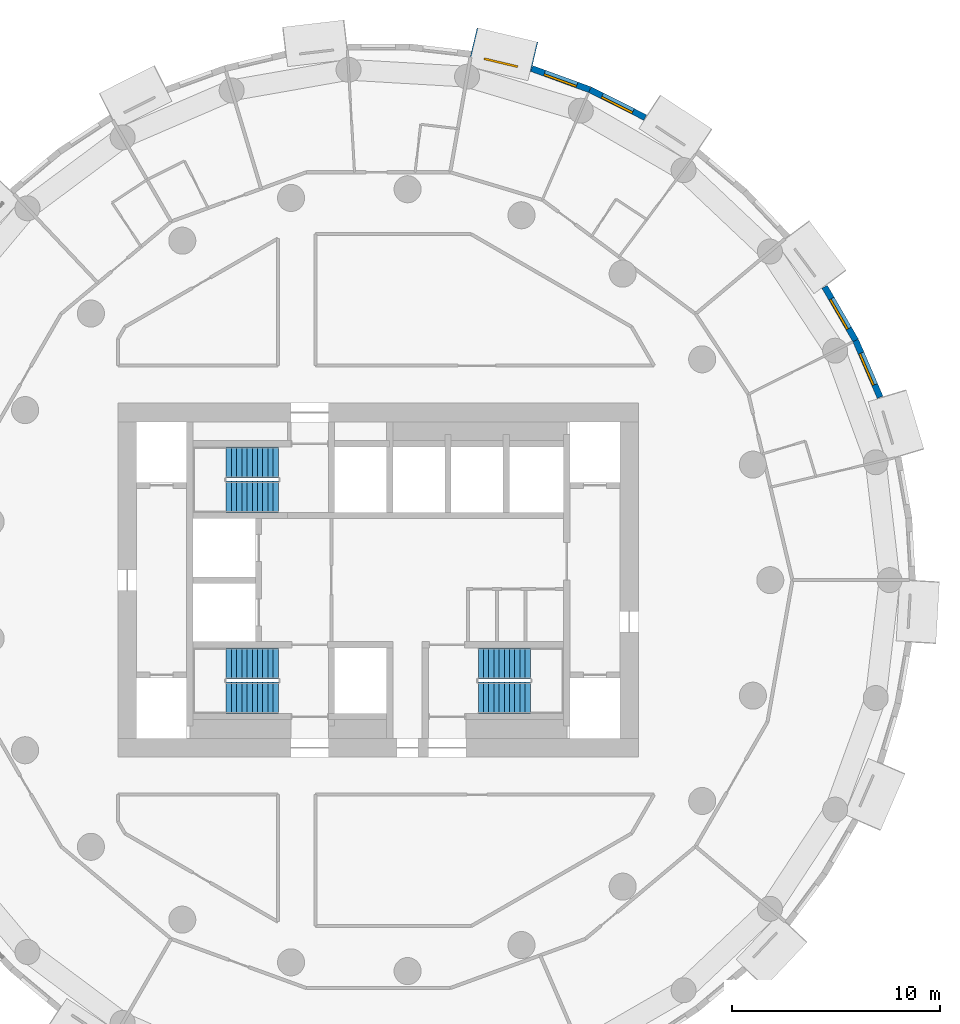
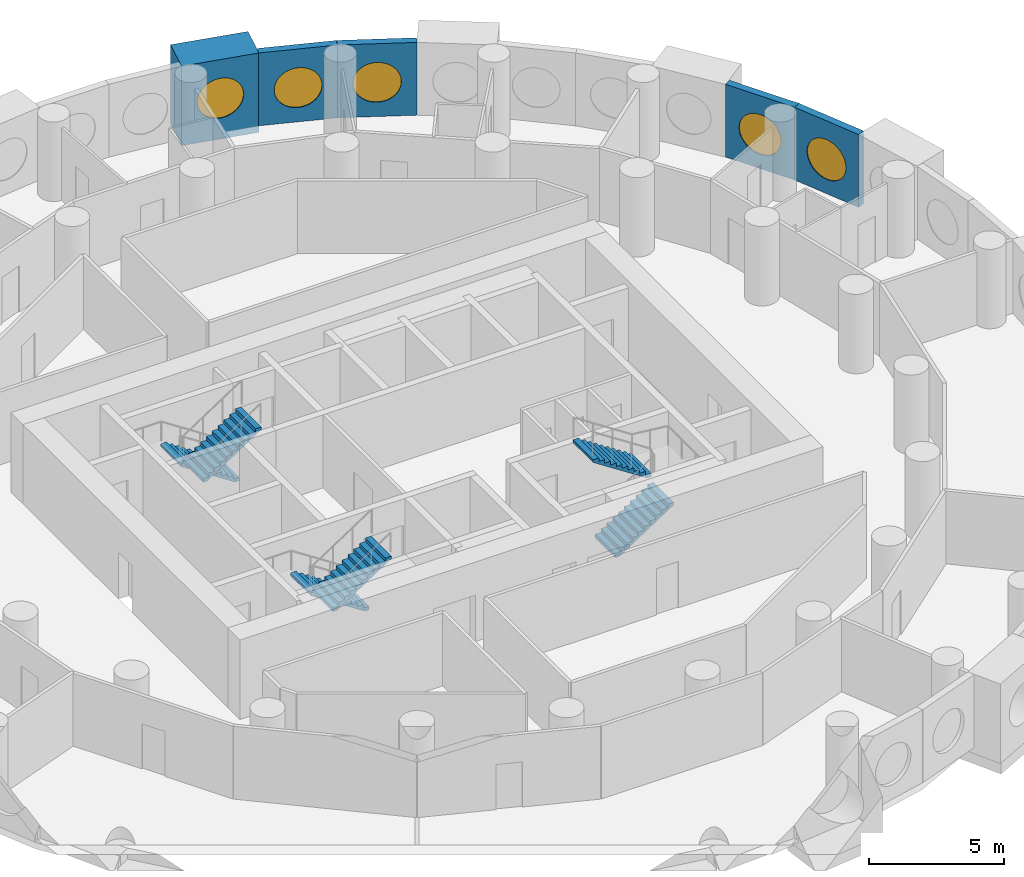
# One storey, part 8 of 9: 6 stair flights, 5 walls, 5 windows, 5 openings, 3 elements without a shape of their own.
"""IFC4 building model written with IfcOpenShell, lengths in metres."""

from ifc_helpers import new_model, si_unit, direction, frame, frame_2d, origin, origin_2d, place, context, subcontext, project, spatial, polyline, rectangle, circle, outline, extrude, material, layer, layer_set, type_object, element, fill, aggregate, save


model = new_model("IFC4")

# Units and contexts
model_context = context("Model", 3, precision=1e-05, world=origin(), true_north=direction((0.0, 1.0)))
body_context = subcontext(model_context, "Body", "Model", "MODEL_VIEW")
ifc_project = project(units=[si_unit("LENGTHUNIT", "METRE"), si_unit("AREAUNIT", "SQUARE_METRE"), si_unit("VOLUMEUNIT", "CUBIC_METRE"), si_unit("PLANEANGLEUNIT", "RADIAN"), si_unit("MASSUNIT", "GRAM", prefix="KILO")], contexts=[model_context])

# Site, building, storey
site_placement = place(None, origin())
site = spatial("IfcSite", under=ifc_project, at=site_placement, CompositionType="ELEMENT")
building_placement = place(site_placement, origin())
building = spatial("IfcBuilding", under=site, at=building_placement, Name="Tracery Tower", CompositionType="ELEMENT")
storey_placement = place(building_placement, frame((0.0, 0.0, 176.39990234375)))
storey = spatial("IfcBuildingStorey", under=building, at=storey_placement, Name="L45", CompositionType="ELEMENT", Elevation=176.39990234375)

# Wall, opening, window
ifc_material_1 = material(Name="Precast concrete C50/60", Category="concrete")
ifc_layer_1 = layer(ifc_material_1, 1.449951171875)
ifc_layer_set_1 = layer_set([ifc_layer_1], Name="Deep-set bay unit 3000 x 3600, slab edge 300")
wall_type_1 = type_object("IfcWallType", Name="Deep-set bay unit 3000 x 3600, slab edge 300", PredefinedType="ELEMENTEDWALL", material=ifc_layer_set_1)
wall_1_placement = place(storey_placement, frame((7.496826171875, 25.12744140625, -0.2998046875), z_axis=(0.0, 0.0, 1.0), x_axis=(-0.973042333261, 0.23062657627, 0.0)))
wall_1 = element("IfcWall", 1, at=wall_1_placement, inside=storey, type_object=wall_type_1, Name="Deep-set bay unit 12 at L45", PredefinedType="ELEMENTEDWALL", context=body_context, shape_type="SweptSolid", body=[
    extrude(rectangle(XDim=3.0, YDim=1.449951171875, at=frame_2d((1.5, 0.0))), origin(), (0.0, 0.0, 1.0), 3.599853515625),
])
opening_1_placement = place(wall_1_placement, frame((1.5, 0.0, 1.85009765625)))
opening_1 = element("IfcOpeningElement", 2, at=opening_1_placement, cuts=wall_1, Name="Opening WN1", PredefinedType="OPENING", context=body_context, shape_type="SweptSolid", body=[
    extrude(circle(Radius=0.9000244140625, at=origin_2d()), frame((0.0, 0.73486328125, 0.0), z_axis=(0.0, -1.0, 0.0), x_axis=(1.0, 0.0, 0.0)), (0.0, 0.0, 1.0), 1.469970703125),
])
ifc_material_2 = material(Name="Aluminium frame with tinted double glazing", Category="aluminium")
window_type = type_object("IfcWindowType", Name="Round window 1800", PartitioningType="SINGLE_PANEL", PredefinedType="WINDOW", material=ifc_material_2)
window_1_placement = place(opening_1_placement, origin())
window_1 = element("IfcWindow", 3, at=window_1_placement, inside=storey, type_object=window_type, Name="Round window 12 at L45", OverallHeight=1.800048828125, OverallWidth=1.800048828125, PartitioningType="SINGLE_PANEL", PredefinedType="WINDOW", context=body_context, shape_type="SweptSolid", body=[
    extrude(circle(Radius=0.9000244140625, at=origin_2d()), frame((0.0, 0.69482421875, 0.0), z_axis=(0.0, -1.0, 0.0), x_axis=(1.0, 0.0, 0.0)), (0.0, 0.0, 1.0), 0.10009765625),
])
fill(opening_1, window_1)

ifc_material_3 = material(Name="Precast concrete C50/60", Category="concrete")
ifc_layer_2 = layer(ifc_material_3, 0.300048828125)
ifc_layer_set_2 = layer_set([ifc_layer_2], Name="Facade panel 3000 x 3300")
wall_type_2 = type_object("IfcWallType", Name="Facade panel 3000 x 3300", PredefinedType="SOLIDWALL", material=ifc_layer_set_2)
wall_2_placement = place(storey_placement, frame((24.096923828125, 8.78076171875, 0.0), z_axis=(0.0, 0.0, 1.0), x_axis=(-0.396078892785, 0.918216483565, 0.0)))
wall_2 = element("IfcWall", 4, at=wall_2_placement, inside=storey, type_object=wall_type_2, Name="Facade panel 4 at L45", PredefinedType="SOLIDWALL", context=body_context, shape_type="SweptSolid", body=[
    extrude(rectangle(XDim=2.972900390625, YDim=0.300048828125, at=frame_2d((1.486328125, 0.0))), origin(), (0.0, 0.0, 1.0), 3.300048828125),
])
opening_2_placement = place(wall_2_placement, frame((1.486328125, 0.0, 1.5498046875)))
opening_2 = element("IfcOpeningElement", 5, at=opening_2_placement, cuts=wall_2, Name="Opening WN1", PredefinedType="OPENING", context=body_context, shape_type="SweptSolid", body=[
    extrude(circle(Radius=0.9000244140625, at=origin_2d()), frame((0.0, 0.159912109375, 0.0), z_axis=(0.0, -1.0, 0.0), x_axis=(1.0, 0.0, 0.0)), (0.0, 0.0, 1.0), 0.320068359375),
])
window_2_placement = place(opening_2_placement, origin())
window_2 = element("IfcWindow", 6, at=window_2_placement, inside=storey, type_object=window_type, Name="Round window 4 at L45", OverallHeight=1.800048828125, OverallWidth=1.800048828125, PartitioningType="SINGLE_PANEL", PredefinedType="WINDOW", context=body_context, shape_type="SweptSolid", body=[
    extrude(circle(Radius=0.9000244140625, at=origin_2d()), frame((0.0, 0.1201171875, 0.0), z_axis=(0.0, -1.0, 0.0), x_axis=(1.0, 0.0, 0.0)), (0.0, 0.0, 1.0), 0.10009765625),
])
fill(opening_2, window_2)

wall_3_placement = place(storey_placement, frame((22.91943359375, 11.510498046875, 0.0), z_axis=(0.0, 0.0, 1.0), x_axis=(-0.500016263033, 0.866016014115, 0.0)))
wall_3 = element("IfcWall", 7, at=wall_3_placement, inside=storey, type_object=wall_type_2, Name="Facade panel 5 at L45", PredefinedType="SOLIDWALL", context=body_context, shape_type="SweptSolid", body=[
    extrude(rectangle(XDim=2.97314453125, YDim=0.300048828125, at=frame_2d((1.486572265625, 0.0))), origin(), (0.0, 0.0, 1.0), 3.300048828125),
])
opening_3_placement = place(wall_3_placement, frame((1.486328125, 0.0, 1.5498046875)))
opening_3 = element("IfcOpeningElement", 8, at=opening_3_placement, cuts=wall_3, Name="Opening WN1", PredefinedType="OPENING", context=body_context, shape_type="SweptSolid", body=[
    extrude(circle(Radius=0.9000244140625, at=origin_2d()), frame((0.0, 0.159912109375, 0.0), z_axis=(0.0, -1.0, 0.0), x_axis=(1.0, 0.0, 0.0)), (0.0, 0.0, 1.0), 0.320068359375),
])
window_3_placement = place(opening_3_placement, origin())
window_3 = element("IfcWindow", 9, at=window_3_placement, inside=storey, type_object=window_type, Name="Round window 5 at L45", OverallHeight=1.800048828125, OverallWidth=1.800048828125, PartitioningType="SINGLE_PANEL", PredefinedType="WINDOW", context=body_context, shape_type="SweptSolid", body=[
    extrude(circle(Radius=0.9000244140625, at=origin_2d()), frame((0.0, 0.1201171875, 0.0), z_axis=(0.0, -1.0, 0.0), x_axis=(1.0, 0.0, 0.0)), (0.0, 0.0, 1.0), 0.10009765625),
])
fill(opening_3, window_3)

wall_4_placement = place(storey_placement, frame((12.815185546875, 22.215576171875, 0.0), z_axis=(0.0, 0.0, 1.0), x_axis=(-0.893637442555, 0.448789618045, 0.0)))
wall_4 = element("IfcWall", 10, at=wall_4_placement, inside=storey, type_object=wall_type_2, Name="Facade panel 10 at L45", PredefinedType="SOLIDWALL", context=body_context, shape_type="SweptSolid", body=[
    extrude(rectangle(XDim=2.972900390625, YDim=0.300048828125, at=frame_2d((1.486328125, 0.0))), origin(), (0.0, 0.0, 1.0), 3.300048828125),
])
opening_4_placement = place(wall_4_placement, frame((1.486328125, 0.0, 1.5498046875)))
opening_4 = element("IfcOpeningElement", 11, at=opening_4_placement, cuts=wall_4, Name="Opening WN1", PredefinedType="OPENING", context=body_context, shape_type="SweptSolid", body=[
    extrude(circle(Radius=0.9000244140625, at=origin_2d()), frame((0.0, 0.159912109375, 0.0), z_axis=(0.0, -1.0, 0.0), x_axis=(1.0, 0.0, 0.0)), (0.0, 0.0, 1.0), 0.320068359375),
])
window_4_placement = place(opening_4_placement, origin())
window_4 = element("IfcWindow", 12, at=window_4_placement, inside=storey, type_object=window_type, Name="Round window 10 at L45", OverallHeight=1.800048828125, OverallWidth=1.800048828125, PartitioningType="SINGLE_PANEL", PredefinedType="WINDOW", context=body_context, shape_type="SweptSolid", body=[
    extrude(circle(Radius=0.9000244140625, at=origin_2d()), frame((0.0, 0.1201171875, 0.0), z_axis=(0.0, -1.0, 0.0), x_axis=(1.0, 0.0, 0.0)), (0.0, 0.0, 1.0), 0.10009765625),
])
fill(opening_4, window_4)

wall_5_placement = place(storey_placement, frame((10.158447265625, 23.5498046875, 0.0), z_axis=(0.0, 0.0, 1.0), x_axis=(-0.939690282133, 0.342026568652, 0.0)))
wall_5 = element("IfcWall", 13, at=wall_5_placement, inside=storey, type_object=wall_type_2, Name="Facade panel 11 at L45", PredefinedType="SOLIDWALL", context=body_context, shape_type="SweptSolid", body=[
    extrude(rectangle(XDim=2.972900390625, YDim=0.300048828125, at=frame_2d((1.486328125, 0.0))), origin(), (0.0, 0.0, 1.0), 3.300048828125),
])
opening_5_placement = place(wall_5_placement, frame((1.486328125, 0.0, 1.5498046875)))
opening_5 = element("IfcOpeningElement", 14, at=opening_5_placement, cuts=wall_5, Name="Opening WN1", PredefinedType="OPENING", context=body_context, shape_type="SweptSolid", body=[
    extrude(circle(Radius=0.9000244140625, at=origin_2d()), frame((0.0, 0.159912109375, 0.0), z_axis=(0.0, -1.0, 0.0), x_axis=(1.0, 0.0, 0.0)), (0.0, 0.0, 1.0), 0.320068359375),
])
window_5_placement = place(opening_5_placement, origin())
window_5 = element("IfcWindow", 15, at=window_5_placement, inside=storey, type_object=window_type, Name="Round window 11 at L45", OverallHeight=1.800048828125, OverallWidth=1.800048828125, PartitioningType="SINGLE_PANEL", PredefinedType="WINDOW", context=body_context, shape_type="SweptSolid", body=[
    extrude(circle(Radius=0.9000244140625, at=origin_2d()), frame((0.0, 0.1201171875, 0.0), z_axis=(0.0, -1.0, 0.0), x_axis=(1.0, 0.0, 0.0)), (0.0, 0.0, 1.0), 0.10009765625),
])
fill(opening_5, window_5)

# Stair, stair flights
ifc_material_4 = material(Name="Concrete C32/40", Category="concrete")
stair_type = type_object("IfcStairType", Name="Core stair 22 risers", PredefinedType="HALF_TURN_STAIR", material=ifc_material_4)
stair_1_placement = place(storey_placement, origin())
stair_1 = element("IfcStair", 16, at=stair_1_placement, inside=storey, type_object=stair_type, Name="L45 stair ST1", PredefinedType="HALF_TURN_STAIR")
ifc_material_5 = material(Name="Concrete C32/40", Category="concrete")
stair_flight_type = type_object("IfcStairFlightType", Name="Core stair flight 11 risers", PredefinedType="STRAIGHT", material=ifc_material_5)
stair_flight_1_placement = place(storey_placement, frame((-4.800048828125, -4.0, 0.0), z_axis=(0.0, 0.0, 1.0), x_axis=(-1.0, 0.0, 0.0)))
stair_flight_1 = element("IfcStairFlight", 17, at=stair_flight_1_placement, type_object=stair_flight_type, Name="ST1 flight 1", NumberOfRisers=11, NumberOfTreads=10, PredefinedType="STRAIGHT", RiserHeight=0.163636364, TreadLength=0.25, context=body_context, shape_type="SweptSolid", body=[
    extrude(outline(polyline([(0.0, 0.0), (0.0, 0.002685546875), (0.0, 0.00537109375), (0.0, 0.008056640625), (0.0, 0.0107421875), (0.0, 0.013427734375), (0.0, 0.01611328125), (0.0, 0.018798828125), (0.0, 0.021484375), (0.0, 0.024169921875), (0.0, 0.02685546875), (0.0, 0.029541015625), (0.0, 0.0322265625), (0.0, 0.034912109375), (0.0, 0.03759765625), (0.0, 0.040283203125), (0.0, 0.04296875), (0.0, 0.045654296875), (0.0, 0.04833984375), (0.0, 0.051025390625), (0.0, 0.0537109375), (0.0, 0.056396484375), (0.0, 0.05908203125), (0.0, 0.061767578125), (0.0, 0.064453125), (0.0, 0.067138671875), (0.0, 0.06982421875), (0.0, 0.072509765625), (0.0, 0.0751953125), (0.0, 0.077880859375), (0.0, 0.08056640625), (0.0, 0.083251953125), (0.0, 0.0859375), (0.0, 0.088623046875), (0.0, 0.09130859375), (0.0, 0.093994140625), (0.0, 0.0966796875), (0.0, 0.099365234375), (0.0, 0.10205078125), (0.0, 0.104736328125), (0.0, 0.107421875), (0.0, 0.10986328125), (0.0, 0.112548828125), (0.0, 0.115234375), (0.0, 0.117919921875), (0.0, 0.12060546875), (0.0, 0.123291015625), (0.0, 0.1259765625), (0.0, 0.128662109375), (0.0, 0.13134765625), (0.0, 0.134033203125), (0.0, 0.13671875), (0.0, 0.139404296875), (0.0, 0.14208984375), (0.0, 0.144775390625), (0.0, 0.1474609375), (0.0, 0.150146484375), (0.0, 0.15283203125), (0.0, 0.155517578125), (0.0, 0.158203125), (0.0, 0.160888671875), (0.0, 0.16357421875), (0.25, 0.16357421875), (0.25, 0.327392578125), (0.5, 0.327392578125), (0.5, 0.490966796875), (0.75, 0.490966796875), (0.75, 0.654541015625), (1.0, 0.654541015625), (1.0, 0.818115234375), (1.25, 0.818115234375), (1.25, 0.98193359375), (1.5, 0.98193359375), (1.5, 1.1455078125), (1.75, 1.1455078125), (1.75, 1.30908203125), (2.0, 1.30908203125), (2.0, 1.47265625), (2.25, 1.47265625), (2.25, 1.636474609375), (2.5, 1.636474609375), (2.5, 1.634521484375), (2.5, 1.63232421875), (2.5, 1.63037109375), (2.5, 1.62841796875), (2.5, 1.62646484375), (2.5, 1.62451171875), (2.5, 1.62255859375), (2.5, 1.62060546875), (2.5, 1.61865234375), (2.5, 1.61669921875), (2.5, 1.61474609375), (2.5, 1.61279296875), (2.5, 1.61083984375), (2.5, 1.60888671875), (2.5, 1.60693359375), (2.5, 1.60498046875), (2.5, 1.60302734375), (2.5, 1.60107421875), (2.5, 1.59912109375), (2.5, 1.59716796875), (2.5, 1.59521484375), (2.5, 1.59326171875), (2.5, 1.59130859375), (2.5, 1.58935546875), (2.5, 1.58740234375), (2.5, 1.58544921875), (2.5, 1.58349609375), (2.5, 1.58154296875), (2.5, 1.57958984375), (2.5, 1.57763671875), (2.5, 1.57568359375), (2.5, 1.573486328125), (2.5, 1.571533203125), (2.5, 1.569580078125), (2.5, 1.567626953125), (2.5, 1.565673828125), (2.5, 1.563720703125), (2.5, 1.561767578125), (2.5, 1.559814453125), (2.5, 1.557861328125), (2.5, 1.555908203125), (2.5, 1.553955078125), (2.5, 1.552001953125), (2.5, 1.550048828125), (2.5, 1.548095703125), (2.5, 1.546142578125), (2.5, 1.544189453125), (2.5, 1.542236328125), (2.5, 1.540283203125), (2.5, 1.538330078125), (2.5, 1.536376953125), (2.5, 1.534423828125), (2.5, 1.532470703125), (2.5, 1.530517578125), (2.5, 1.528564453125), (2.5, 1.526611328125), (2.5, 1.524658203125), (2.5, 1.522705078125), (2.5, 1.520751953125), (2.5, 1.518798828125), (2.5, 1.516845703125), (0.182861328125, 0.0), (0.0, 0.0)])), frame((0.0, 0.75, 0.0), z_axis=(0.0, -1.0, 0.0), x_axis=(1.0, 0.0, 0.0)), (0.0, 0.0, 1.0), 1.5),
])
stair_flight_2_placement = place(storey_placement, frame((-7.300048828125, -5.64990234375, 1.800048828125), z_axis=(0.0, 0.0, 1.0), x_axis=(1.0, 0.0, 0.0)))
stair_flight_2 = element("IfcStairFlight", 18, at=stair_flight_2_placement, type_object=stair_flight_type, Name="ST1 flight 2", NumberOfRisers=11, NumberOfTreads=10, PredefinedType="STRAIGHT", RiserHeight=0.163636364, TreadLength=0.25, context=body_context, shape_type="SweptSolid", body=[
    extrude(outline(polyline([(0.0, 0.0), (0.0, 0.002685546875), (0.0, 0.00537109375), (0.0, 0.008056640625), (0.0, 0.0107421875), (0.0, 0.013427734375), (0.0, 0.01611328125), (0.0, 0.018798828125), (0.0, 0.021484375), (0.0, 0.024169921875), (0.0, 0.02685546875), (0.0, 0.029541015625), (0.0, 0.0322265625), (0.0, 0.034912109375), (0.0, 0.03759765625), (0.0, 0.040283203125), (0.0, 0.04296875), (0.0, 0.045654296875), (0.0, 0.04833984375), (0.0, 0.051025390625), (0.0, 0.0537109375), (0.0, 0.056396484375), (0.0, 0.05908203125), (0.0, 0.061767578125), (0.0, 0.064453125), (0.0, 0.067138671875), (0.0, 0.06982421875), (0.0, 0.072509765625), (0.0, 0.0751953125), (0.0, 0.077880859375), (0.0, 0.08056640625), (0.0, 0.083251953125), (0.0, 0.0859375), (0.0, 0.088623046875), (0.0, 0.09130859375), (0.0, 0.093994140625), (0.0, 0.0966796875), (0.0, 0.099365234375), (0.0, 0.10205078125), (0.0, 0.104736328125), (0.0, 0.107421875), (0.0, 0.10986328125), (0.0, 0.112548828125), (0.0, 0.115234375), (0.0, 0.117919921875), (0.0, 0.12060546875), (0.0, 0.123291015625), (0.0, 0.1259765625), (0.0, 0.128662109375), (0.0, 0.13134765625), (0.0, 0.134033203125), (0.0, 0.13671875), (0.0, 0.139404296875), (0.0, 0.14208984375), (0.0, 0.144775390625), (0.0, 0.1474609375), (0.0, 0.150146484375), (0.0, 0.15283203125), (0.0, 0.155517578125), (0.0, 0.158203125), (0.0, 0.160888671875), (0.0, 0.16357421875), (0.25, 0.16357421875), (0.25, 0.327392578125), (0.5, 0.327392578125), (0.5, 0.490966796875), (0.75, 0.490966796875), (0.75, 0.654541015625), (1.0, 0.654541015625), (1.0, 0.818115234375), (1.25, 0.818115234375), (1.25, 0.98193359375), (1.5, 0.98193359375), (1.5, 1.1455078125), (1.75, 1.1455078125), (1.75, 1.30908203125), (2.0, 1.30908203125), (2.0, 1.47265625), (2.25, 1.47265625), (2.25, 1.636474609375), (2.5, 1.636474609375), (2.5, 1.634521484375), (2.5, 1.63232421875), (2.5, 1.63037109375), (2.5, 1.62841796875), (2.5, 1.62646484375), (2.5, 1.62451171875), (2.5, 1.62255859375), (2.5, 1.62060546875), (2.5, 1.61865234375), (2.5, 1.61669921875), (2.5, 1.61474609375), (2.5, 1.61279296875), (2.5, 1.61083984375), (2.5, 1.60888671875), (2.5, 1.60693359375), (2.5, 1.60498046875), (2.5, 1.60302734375), (2.5, 1.60107421875), (2.5, 1.59912109375), (2.5, 1.59716796875), (2.5, 1.59521484375), (2.5, 1.59326171875), (2.5, 1.59130859375), (2.5, 1.58935546875), (2.5, 1.58740234375), (2.5, 1.58544921875), (2.5, 1.58349609375), (2.5, 1.58154296875), (2.5, 1.57958984375), (2.5, 1.57763671875), (2.5, 1.57568359375), (2.5, 1.573486328125), (2.5, 1.571533203125), (2.5, 1.569580078125), (2.5, 1.567626953125), (2.5, 1.565673828125), (2.5, 1.563720703125), (2.5, 1.561767578125), (2.5, 1.559814453125), (2.5, 1.557861328125), (2.5, 1.555908203125), (2.5, 1.553955078125), (2.5, 1.552001953125), (2.5, 1.550048828125), (2.5, 1.548095703125), (2.5, 1.546142578125), (2.5, 1.544189453125), (2.5, 1.542236328125), (2.5, 1.540283203125), (2.5, 1.538330078125), (2.5, 1.536376953125), (2.5, 1.534423828125), (2.5, 1.532470703125), (2.5, 1.530517578125), (2.5, 1.528564453125), (2.5, 1.526611328125), (2.5, 1.524658203125), (2.5, 1.522705078125), (2.5, 1.520751953125), (2.5, 1.518798828125), (2.5, 1.516845703125), (0.182861328125, 0.0), (0.0, 0.0)])), frame((0.0, 0.75, 0.0), z_axis=(0.0, -1.0, 0.0), x_axis=(1.0, 0.0, 0.0)), (0.0, 0.0, 1.0), 1.5),
])
aggregate(stair_1, [stair_flight_1, stair_flight_2])

stair_2_placement = place(storey_placement, origin())
stair_2 = element("IfcStair", 19, at=stair_2_placement, inside=storey, type_object=stair_type, Name="L45 stair ST3", PredefinedType="HALF_TURN_STAIR")
stair_flight_3_placement = place(storey_placement, frame((-4.800048828125, 5.64990234375, 0.0), z_axis=(0.0, 0.0, 1.0), x_axis=(-1.0, 0.0, 0.0)))
stair_flight_3 = element("IfcStairFlight", 20, at=stair_flight_3_placement, type_object=stair_flight_type, Name="ST3 flight 1", NumberOfRisers=11, NumberOfTreads=10, PredefinedType="STRAIGHT", RiserHeight=0.163636364, TreadLength=0.25, context=body_context, shape_type="SweptSolid", body=[
    extrude(outline(polyline([(0.0, 0.0), (0.0, 0.002685546875), (0.0, 0.00537109375), (0.0, 0.008056640625), (0.0, 0.0107421875), (0.0, 0.013427734375), (0.0, 0.01611328125), (0.0, 0.018798828125), (0.0, 0.021484375), (0.0, 0.024169921875), (0.0, 0.02685546875), (0.0, 0.029541015625), (0.0, 0.0322265625), (0.0, 0.034912109375), (0.0, 0.03759765625), (0.0, 0.040283203125), (0.0, 0.04296875), (0.0, 0.045654296875), (0.0, 0.04833984375), (0.0, 0.051025390625), (0.0, 0.0537109375), (0.0, 0.056396484375), (0.0, 0.05908203125), (0.0, 0.061767578125), (0.0, 0.064453125), (0.0, 0.067138671875), (0.0, 0.06982421875), (0.0, 0.072509765625), (0.0, 0.0751953125), (0.0, 0.077880859375), (0.0, 0.08056640625), (0.0, 0.083251953125), (0.0, 0.0859375), (0.0, 0.088623046875), (0.0, 0.09130859375), (0.0, 0.093994140625), (0.0, 0.0966796875), (0.0, 0.099365234375), (0.0, 0.10205078125), (0.0, 0.104736328125), (0.0, 0.107421875), (0.0, 0.10986328125), (0.0, 0.112548828125), (0.0, 0.115234375), (0.0, 0.117919921875), (0.0, 0.12060546875), (0.0, 0.123291015625), (0.0, 0.1259765625), (0.0, 0.128662109375), (0.0, 0.13134765625), (0.0, 0.134033203125), (0.0, 0.13671875), (0.0, 0.139404296875), (0.0, 0.14208984375), (0.0, 0.144775390625), (0.0, 0.1474609375), (0.0, 0.150146484375), (0.0, 0.15283203125), (0.0, 0.155517578125), (0.0, 0.158203125), (0.0, 0.160888671875), (0.0, 0.16357421875), (0.25, 0.16357421875), (0.25, 0.327392578125), (0.5, 0.327392578125), (0.5, 0.490966796875), (0.75, 0.490966796875), (0.75, 0.654541015625), (1.0, 0.654541015625), (1.0, 0.818115234375), (1.25, 0.818115234375), (1.25, 0.98193359375), (1.5, 0.98193359375), (1.5, 1.1455078125), (1.75, 1.1455078125), (1.75, 1.30908203125), (2.0, 1.30908203125), (2.0, 1.47265625), (2.25, 1.47265625), (2.25, 1.636474609375), (2.5, 1.636474609375), (2.5, 1.634521484375), (2.5, 1.63232421875), (2.5, 1.63037109375), (2.5, 1.62841796875), (2.5, 1.62646484375), (2.5, 1.62451171875), (2.5, 1.62255859375), (2.5, 1.62060546875), (2.5, 1.61865234375), (2.5, 1.61669921875), (2.5, 1.61474609375), (2.5, 1.61279296875), (2.5, 1.61083984375), (2.5, 1.60888671875), (2.5, 1.60693359375), (2.5, 1.60498046875), (2.5, 1.60302734375), (2.5, 1.60107421875), (2.5, 1.59912109375), (2.5, 1.59716796875), (2.5, 1.59521484375), (2.5, 1.59326171875), (2.5, 1.59130859375), (2.5, 1.58935546875), (2.5, 1.58740234375), (2.5, 1.58544921875), (2.5, 1.58349609375), (2.5, 1.58154296875), (2.5, 1.57958984375), (2.5, 1.57763671875), (2.5, 1.57568359375), (2.5, 1.573486328125), (2.5, 1.571533203125), (2.5, 1.569580078125), (2.5, 1.567626953125), (2.5, 1.565673828125), (2.5, 1.563720703125), (2.5, 1.561767578125), (2.5, 1.559814453125), (2.5, 1.557861328125), (2.5, 1.555908203125), (2.5, 1.553955078125), (2.5, 1.552001953125), (2.5, 1.550048828125), (2.5, 1.548095703125), (2.5, 1.546142578125), (2.5, 1.544189453125), (2.5, 1.542236328125), (2.5, 1.540283203125), (2.5, 1.538330078125), (2.5, 1.536376953125), (2.5, 1.534423828125), (2.5, 1.532470703125), (2.5, 1.530517578125), (2.5, 1.528564453125), (2.5, 1.526611328125), (2.5, 1.524658203125), (2.5, 1.522705078125), (2.5, 1.520751953125), (2.5, 1.518798828125), (2.5, 1.516845703125), (0.182861328125, 0.0), (0.0, 0.0)])), frame((0.0, 0.75, 0.0), z_axis=(0.0, -1.0, 0.0), x_axis=(1.0, 0.0, 0.0)), (0.0, 0.0, 1.0), 1.5),
])
stair_flight_4_placement = place(storey_placement, frame((-7.300048828125, 4.0, 1.800048828125), z_axis=(0.0, 0.0, 1.0), x_axis=(1.0, 0.0, 0.0)))
stair_flight_4 = element("IfcStairFlight", 21, at=stair_flight_4_placement, type_object=stair_flight_type, Name="ST3 flight 2", NumberOfRisers=11, NumberOfTreads=10, PredefinedType="STRAIGHT", RiserHeight=0.163636364, TreadLength=0.25, context=body_context, shape_type="SweptSolid", body=[
    extrude(outline(polyline([(0.0, 0.0), (0.0, 0.002685546875), (0.0, 0.00537109375), (0.0, 0.008056640625), (0.0, 0.0107421875), (0.0, 0.013427734375), (0.0, 0.01611328125), (0.0, 0.018798828125), (0.0, 0.021484375), (0.0, 0.024169921875), (0.0, 0.02685546875), (0.0, 0.029541015625), (0.0, 0.0322265625), (0.0, 0.034912109375), (0.0, 0.03759765625), (0.0, 0.040283203125), (0.0, 0.04296875), (0.0, 0.045654296875), (0.0, 0.04833984375), (0.0, 0.051025390625), (0.0, 0.0537109375), (0.0, 0.056396484375), (0.0, 0.05908203125), (0.0, 0.061767578125), (0.0, 0.064453125), (0.0, 0.067138671875), (0.0, 0.06982421875), (0.0, 0.072509765625), (0.0, 0.0751953125), (0.0, 0.077880859375), (0.0, 0.08056640625), (0.0, 0.083251953125), (0.0, 0.0859375), (0.0, 0.088623046875), (0.0, 0.09130859375), (0.0, 0.093994140625), (0.0, 0.0966796875), (0.0, 0.099365234375), (0.0, 0.10205078125), (0.0, 0.104736328125), (0.0, 0.107421875), (0.0, 0.10986328125), (0.0, 0.112548828125), (0.0, 0.115234375), (0.0, 0.117919921875), (0.0, 0.12060546875), (0.0, 0.123291015625), (0.0, 0.1259765625), (0.0, 0.128662109375), (0.0, 0.13134765625), (0.0, 0.134033203125), (0.0, 0.13671875), (0.0, 0.139404296875), (0.0, 0.14208984375), (0.0, 0.144775390625), (0.0, 0.1474609375), (0.0, 0.150146484375), (0.0, 0.15283203125), (0.0, 0.155517578125), (0.0, 0.158203125), (0.0, 0.160888671875), (0.0, 0.16357421875), (0.25, 0.16357421875), (0.25, 0.327392578125), (0.5, 0.327392578125), (0.5, 0.490966796875), (0.75, 0.490966796875), (0.75, 0.654541015625), (1.0, 0.654541015625), (1.0, 0.818115234375), (1.25, 0.818115234375), (1.25, 0.98193359375), (1.5, 0.98193359375), (1.5, 1.1455078125), (1.75, 1.1455078125), (1.75, 1.30908203125), (2.0, 1.30908203125), (2.0, 1.47265625), (2.25, 1.47265625), (2.25, 1.636474609375), (2.5, 1.636474609375), (2.5, 1.634521484375), (2.5, 1.63232421875), (2.5, 1.63037109375), (2.5, 1.62841796875), (2.5, 1.62646484375), (2.5, 1.62451171875), (2.5, 1.62255859375), (2.5, 1.62060546875), (2.5, 1.61865234375), (2.5, 1.61669921875), (2.5, 1.61474609375), (2.5, 1.61279296875), (2.5, 1.61083984375), (2.5, 1.60888671875), (2.5, 1.60693359375), (2.5, 1.60498046875), (2.5, 1.60302734375), (2.5, 1.60107421875), (2.5, 1.59912109375), (2.5, 1.59716796875), (2.5, 1.59521484375), (2.5, 1.59326171875), (2.5, 1.59130859375), (2.5, 1.58935546875), (2.5, 1.58740234375), (2.5, 1.58544921875), (2.5, 1.58349609375), (2.5, 1.58154296875), (2.5, 1.57958984375), (2.5, 1.57763671875), (2.5, 1.57568359375), (2.5, 1.573486328125), (2.5, 1.571533203125), (2.5, 1.569580078125), (2.5, 1.567626953125), (2.5, 1.565673828125), (2.5, 1.563720703125), (2.5, 1.561767578125), (2.5, 1.559814453125), (2.5, 1.557861328125), (2.5, 1.555908203125), (2.5, 1.553955078125), (2.5, 1.552001953125), (2.5, 1.550048828125), (2.5, 1.548095703125), (2.5, 1.546142578125), (2.5, 1.544189453125), (2.5, 1.542236328125), (2.5, 1.540283203125), (2.5, 1.538330078125), (2.5, 1.536376953125), (2.5, 1.534423828125), (2.5, 1.532470703125), (2.5, 1.530517578125), (2.5, 1.528564453125), (2.5, 1.526611328125), (2.5, 1.524658203125), (2.5, 1.522705078125), (2.5, 1.520751953125), (2.5, 1.518798828125), (2.5, 1.516845703125), (0.182861328125, 0.0), (0.0, 0.0)])), frame((0.0, 0.75, 0.0), z_axis=(0.0, -1.0, 0.0), x_axis=(1.0, 0.0, 0.0)), (0.0, 0.0, 1.0), 1.5),
])
aggregate(stair_2, [stair_flight_3, stair_flight_4])

stair_3_placement = place(storey_placement, origin())
stair_3 = element("IfcStair", 22, at=stair_3_placement, inside=storey, type_object=stair_type, Name="L45 stair ST2", PredefinedType="HALF_TURN_STAIR")
stair_flight_5_placement = place(storey_placement, frame((4.800048828125, -5.64990234375, 0.0), z_axis=(0.0, 0.0, 1.0), x_axis=(1.0, 0.0, 0.0)))
stair_flight_5 = element("IfcStairFlight", 23, at=stair_flight_5_placement, type_object=stair_flight_type, Name="ST2 flight 1", NumberOfRisers=11, NumberOfTreads=10, PredefinedType="STRAIGHT", RiserHeight=0.163636364, TreadLength=0.25, context=body_context, shape_type="SweptSolid", body=[
    extrude(outline(polyline([(0.0, 0.0), (0.0, 0.002685546875), (0.0, 0.00537109375), (0.0, 0.008056640625), (0.0, 0.0107421875), (0.0, 0.013427734375), (0.0, 0.01611328125), (0.0, 0.018798828125), (0.0, 0.021484375), (0.0, 0.024169921875), (0.0, 0.02685546875), (0.0, 0.029541015625), (0.0, 0.0322265625), (0.0, 0.034912109375), (0.0, 0.03759765625), (0.0, 0.040283203125), (0.0, 0.04296875), (0.0, 0.045654296875), (0.0, 0.04833984375), (0.0, 0.051025390625), (0.0, 0.0537109375), (0.0, 0.056396484375), (0.0, 0.05908203125), (0.0, 0.061767578125), (0.0, 0.064453125), (0.0, 0.067138671875), (0.0, 0.06982421875), (0.0, 0.072509765625), (0.0, 0.0751953125), (0.0, 0.077880859375), (0.0, 0.08056640625), (0.0, 0.083251953125), (0.0, 0.0859375), (0.0, 0.088623046875), (0.0, 0.09130859375), (0.0, 0.093994140625), (0.0, 0.0966796875), (0.0, 0.099365234375), (0.0, 0.10205078125), (0.0, 0.104736328125), (0.0, 0.107421875), (0.0, 0.10986328125), (0.0, 0.112548828125), (0.0, 0.115234375), (0.0, 0.117919921875), (0.0, 0.12060546875), (0.0, 0.123291015625), (0.0, 0.1259765625), (0.0, 0.128662109375), (0.0, 0.13134765625), (0.0, 0.134033203125), (0.0, 0.13671875), (0.0, 0.139404296875), (0.0, 0.14208984375), (0.0, 0.144775390625), (0.0, 0.1474609375), (0.0, 0.150146484375), (0.0, 0.15283203125), (0.0, 0.155517578125), (0.0, 0.158203125), (0.0, 0.160888671875), (0.0, 0.16357421875), (0.25, 0.16357421875), (0.25, 0.327392578125), (0.5, 0.327392578125), (0.5, 0.490966796875), (0.75, 0.490966796875), (0.75, 0.654541015625), (1.0, 0.654541015625), (1.0, 0.818115234375), (1.25, 0.818115234375), (1.25, 0.98193359375), (1.5, 0.98193359375), (1.5, 1.1455078125), (1.75, 1.1455078125), (1.75, 1.30908203125), (2.0, 1.30908203125), (2.0, 1.47265625), (2.25, 1.47265625), (2.25, 1.636474609375), (2.5, 1.636474609375), (2.5, 1.634521484375), (2.5, 1.63232421875), (2.5, 1.63037109375), (2.5, 1.62841796875), (2.5, 1.62646484375), (2.5, 1.62451171875), (2.5, 1.62255859375), (2.5, 1.62060546875), (2.5, 1.61865234375), (2.5, 1.61669921875), (2.5, 1.61474609375), (2.5, 1.61279296875), (2.5, 1.61083984375), (2.5, 1.60888671875), (2.5, 1.60693359375), (2.5, 1.60498046875), (2.5, 1.60302734375), (2.5, 1.60107421875), (2.5, 1.59912109375), (2.5, 1.59716796875), (2.5, 1.59521484375), (2.5, 1.59326171875), (2.5, 1.59130859375), (2.5, 1.58935546875), (2.5, 1.58740234375), (2.5, 1.58544921875), (2.5, 1.58349609375), (2.5, 1.58154296875), (2.5, 1.57958984375), (2.5, 1.57763671875), (2.5, 1.57568359375), (2.5, 1.573486328125), (2.5, 1.571533203125), (2.5, 1.569580078125), (2.5, 1.567626953125), (2.5, 1.565673828125), (2.5, 1.563720703125), (2.5, 1.561767578125), (2.5, 1.559814453125), (2.5, 1.557861328125), (2.5, 1.555908203125), (2.5, 1.553955078125), (2.5, 1.552001953125), (2.5, 1.550048828125), (2.5, 1.548095703125), (2.5, 1.546142578125), (2.5, 1.544189453125), (2.5, 1.542236328125), (2.5, 1.540283203125), (2.5, 1.538330078125), (2.5, 1.536376953125), (2.5, 1.534423828125), (2.5, 1.532470703125), (2.5, 1.530517578125), (2.5, 1.528564453125), (2.5, 1.526611328125), (2.5, 1.524658203125), (2.5, 1.522705078125), (2.5, 1.520751953125), (2.5, 1.518798828125), (2.5, 1.516845703125), (0.182861328125, 0.0), (0.0, 0.0)])), frame((0.0, 0.75, 0.0), z_axis=(0.0, -1.0, 0.0), x_axis=(1.0, 0.0, 0.0)), (0.0, 0.0, 1.0), 1.5),
])
stair_flight_6_placement = place(storey_placement, frame((7.300048828125, -4.0, 1.800048828125), z_axis=(0.0, 0.0, 1.0), x_axis=(-1.0, 0.0, 0.0)))
stair_flight_6 = element("IfcStairFlight", 24, at=stair_flight_6_placement, type_object=stair_flight_type, Name="ST2 flight 2", NumberOfRisers=11, NumberOfTreads=10, PredefinedType="STRAIGHT", RiserHeight=0.163636364, TreadLength=0.25, context=body_context, shape_type="SweptSolid", body=[
    extrude(outline(polyline([(0.0, 0.0), (0.0, 0.002685546875), (0.0, 0.00537109375), (0.0, 0.008056640625), (0.0, 0.0107421875), (0.0, 0.013427734375), (0.0, 0.01611328125), (0.0, 0.018798828125), (0.0, 0.021484375), (0.0, 0.024169921875), (0.0, 0.02685546875), (0.0, 0.029541015625), (0.0, 0.0322265625), (0.0, 0.034912109375), (0.0, 0.03759765625), (0.0, 0.040283203125), (0.0, 0.04296875), (0.0, 0.045654296875), (0.0, 0.04833984375), (0.0, 0.051025390625), (0.0, 0.0537109375), (0.0, 0.056396484375), (0.0, 0.05908203125), (0.0, 0.061767578125), (0.0, 0.064453125), (0.0, 0.067138671875), (0.0, 0.06982421875), (0.0, 0.072509765625), (0.0, 0.0751953125), (0.0, 0.077880859375), (0.0, 0.08056640625), (0.0, 0.083251953125), (0.0, 0.0859375), (0.0, 0.088623046875), (0.0, 0.09130859375), (0.0, 0.093994140625), (0.0, 0.0966796875), (0.0, 0.099365234375), (0.0, 0.10205078125), (0.0, 0.104736328125), (0.0, 0.107421875), (0.0, 0.10986328125), (0.0, 0.112548828125), (0.0, 0.115234375), (0.0, 0.117919921875), (0.0, 0.12060546875), (0.0, 0.123291015625), (0.0, 0.1259765625), (0.0, 0.128662109375), (0.0, 0.13134765625), (0.0, 0.134033203125), (0.0, 0.13671875), (0.0, 0.139404296875), (0.0, 0.14208984375), (0.0, 0.144775390625), (0.0, 0.1474609375), (0.0, 0.150146484375), (0.0, 0.15283203125), (0.0, 0.155517578125), (0.0, 0.158203125), (0.0, 0.160888671875), (0.0, 0.16357421875), (0.25, 0.16357421875), (0.25, 0.327392578125), (0.5, 0.327392578125), (0.5, 0.490966796875), (0.75, 0.490966796875), (0.75, 0.654541015625), (1.0, 0.654541015625), (1.0, 0.818115234375), (1.25, 0.818115234375), (1.25, 0.98193359375), (1.5, 0.98193359375), (1.5, 1.1455078125), (1.75, 1.1455078125), (1.75, 1.30908203125), (2.0, 1.30908203125), (2.0, 1.47265625), (2.25, 1.47265625), (2.25, 1.636474609375), (2.5, 1.636474609375), (2.5, 1.634521484375), (2.5, 1.63232421875), (2.5, 1.63037109375), (2.5, 1.62841796875), (2.5, 1.62646484375), (2.5, 1.62451171875), (2.5, 1.62255859375), (2.5, 1.62060546875), (2.5, 1.61865234375), (2.5, 1.61669921875), (2.5, 1.61474609375), (2.5, 1.61279296875), (2.5, 1.61083984375), (2.5, 1.60888671875), (2.5, 1.60693359375), (2.5, 1.60498046875), (2.5, 1.60302734375), (2.5, 1.60107421875), (2.5, 1.59912109375), (2.5, 1.59716796875), (2.5, 1.59521484375), (2.5, 1.59326171875), (2.5, 1.59130859375), (2.5, 1.58935546875), (2.5, 1.58740234375), (2.5, 1.58544921875), (2.5, 1.58349609375), (2.5, 1.58154296875), (2.5, 1.57958984375), (2.5, 1.57763671875), (2.5, 1.57568359375), (2.5, 1.573486328125), (2.5, 1.571533203125), (2.5, 1.569580078125), (2.5, 1.567626953125), (2.5, 1.565673828125), (2.5, 1.563720703125), (2.5, 1.561767578125), (2.5, 1.559814453125), (2.5, 1.557861328125), (2.5, 1.555908203125), (2.5, 1.553955078125), (2.5, 1.552001953125), (2.5, 1.550048828125), (2.5, 1.548095703125), (2.5, 1.546142578125), (2.5, 1.544189453125), (2.5, 1.542236328125), (2.5, 1.540283203125), (2.5, 1.538330078125), (2.5, 1.536376953125), (2.5, 1.534423828125), (2.5, 1.532470703125), (2.5, 1.530517578125), (2.5, 1.528564453125), (2.5, 1.526611328125), (2.5, 1.524658203125), (2.5, 1.522705078125), (2.5, 1.520751953125), (2.5, 1.518798828125), (2.5, 1.516845703125), (0.182861328125, 0.0), (0.0, 0.0)])), frame((0.0, 0.75, 0.0), z_axis=(0.0, -1.0, 0.0), x_axis=(1.0, 0.0, 0.0)), (0.0, 0.0, 1.0), 1.5),
])
aggregate(stair_3, [stair_flight_5, stair_flight_6])

save(model, "model.ifc")
